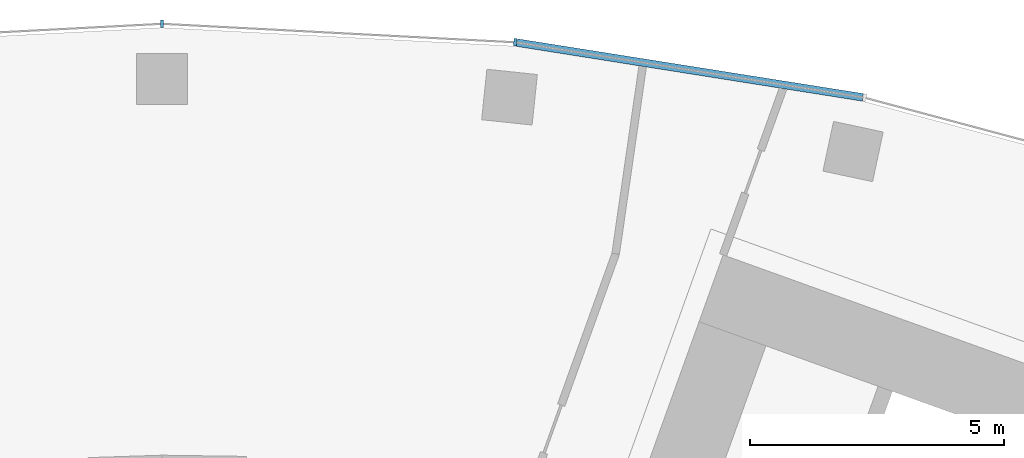
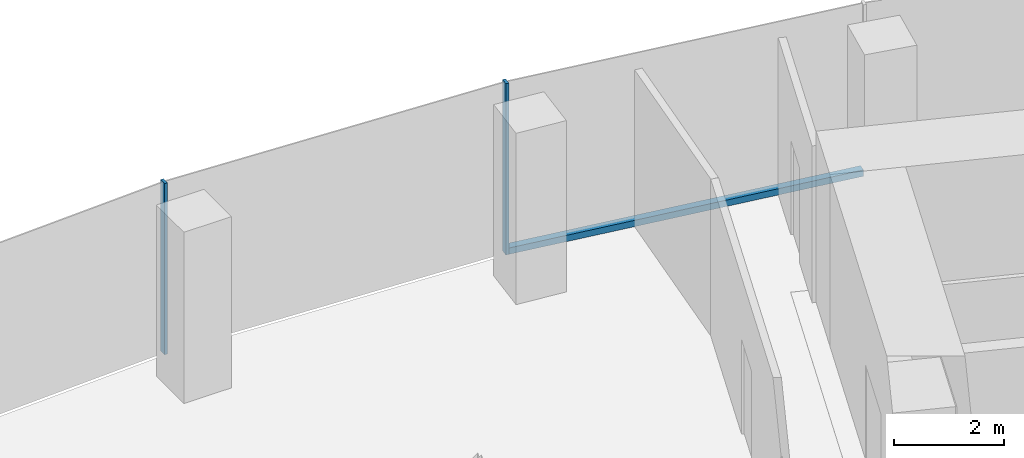
# One storey, part 7 of 21: 3 members, 1 element without a shape of its own.
"""IFC4 building model written with IfcOpenShell, lengths in metres."""

from ifc_helpers import new_model, si_unit, direction, frame, origin, origin_2d, place, context, subcontext, project, spatial, rectangle, extrude, material, layer, layer_set, material_profile, profile_set, type_object, element, aggregate, save


model = new_model("IFC4")

# Units and contexts
model_context = context("Model", 3, precision=1e-05, world=origin(), true_north=direction((0.0, 1.0)))
body_context = subcontext(model_context, "Body", "Model", "MODEL_VIEW")
ifc_project = project(units=[si_unit("LENGTHUNIT", "METRE"), si_unit("AREAUNIT", "SQUARE_METRE"), si_unit("VOLUMEUNIT", "CUBIC_METRE"), si_unit("PLANEANGLEUNIT", "RADIAN"), si_unit("MASSUNIT", "GRAM", prefix="KILO")], contexts=[model_context])

# Site, building, storey
site_placement = place(None, origin())
site = spatial("IfcSite", under=ifc_project, at=site_placement, CompositionType="ELEMENT")
building_placement = place(site_placement, origin())
building = spatial("IfcBuilding", under=site, at=building_placement, Name="Stone Belt Terrace Tower", CompositionType="ELEMENT")
storey_placement = place(building_placement, frame((0.0, 0.0, 159.199951171875)))
storey = spatial("IfcBuildingStorey", under=building, at=storey_placement, Name="L38", CompositionType="ELEMENT", Elevation=159.199951171875)

# Curtain wall, members
ifc_material = material(Name="Aluminium 6063-T6 anodised frame", Category="aluminium")
ifc_layer = layer(ifc_material, 0.14990234375)
ifc_layer_set = layer_set([ifc_layer], Name="CW-A unitised convex-face curtain wall")
curtain_wall_type = type_object("IfcCurtainWallType", Name="CW-A unitised convex-face curtain wall", PredefinedType="NOTDEFINED", material=ifc_layer_set)
curtain_wall_placement = place(storey_placement, origin())
curtain_wall = element("IfcCurtainWall", 1, at=curtain_wall_placement, inside=storey, type_object=curtain_wall_type, Name="CW-A convex face L38", PredefinedType="NOTDEFINED")
ifc_material_profile_1 = material_profile(ifc_material, rectangle(XDim=0.14990234375, YDim=0.06005859375, at=origin_2d()), Name="Aluminium 6063-T6 60x150")
ifc_profile_set_1 = profile_set([ifc_material_profile_1], Name="Aluminium 6063-T6 anodised frame")
member_type_1 = type_object("IfcMemberType", Name="CW-A mullion 60 x 150", PredefinedType="MULLION", material=ifc_profile_set_1)
member_1_placement = place(storey_placement, frame((6.958984375, 66.21044921875, 0.0), z_axis=(0.0, 0.0, 1.0), x_axis=(-0.104528463268, -0.994521895368, 0.0)))
member_1 = element("IfcMember", 2, at=member_1_placement, type_object=member_type_1, Name="CW-A mullion 8", PredefinedType="MULLION", context=body_context, shape_type="SweptSolid", body=[
    extrude(rectangle(XDim=0.14990234375, YDim=0.06005859375, at=origin_2d()), origin(), (0.0, 0.0, 1.0), 3.800048828125),
])
member_2_placement = place(storey_placement, frame((0.0, 66.5751953125, 0.0), z_axis=(0.0, 0.0, 1.0), x_axis=(0.0, -1.0, 0.0)))
member_2 = element("IfcMember", 3, at=member_2_placement, type_object=member_type_1, Name="CW-A mullion 9", PredefinedType="MULLION", context=body_context, shape_type="SweptSolid", body=[
    extrude(rectangle(XDim=0.14990234375, YDim=0.06005859375, at=origin_2d()), origin(), (0.0, 0.0, 1.0), 3.800048828125),
])
ifc_material_profile_2 = material_profile(ifc_material, rectangle(XDim=0.14990234375, YDim=0.139892578125, at=origin_2d()), Name="Aluminium 6063-T6 150x140")
ifc_profile_set_2 = profile_set([ifc_material_profile_2], Name="Aluminium 6063-T6 anodised frame")
member_type_2 = type_object("IfcMemberType", Name="CW-A transom 140 x 150", PredefinedType="USERDEFINED", material=ifc_profile_set_2)
member_3_placement = place(storey_placement, frame((13.808349609375, 65.12548828125, 0.070068359375), z_axis=(-0.987687120531, 0.156442168027, 0.0), x_axis=(-0.156442168027, -0.987687120531, 0.0)))
member_3 = element("IfcMember", 4, at=member_3_placement, type_object=member_type_2, Name="CW-A transom 7.1", ObjectType="TRANSOM", PredefinedType="USERDEFINED", context=body_context, shape_type="SweptSolid", body=[
    extrude(rectangle(XDim=0.14990234375, YDim=0.139892578125, at=origin_2d()), origin(), (0.0, 0.0, 1.0), 6.90087890625),
])
aggregate(curtain_wall, [member_1, member_2, member_3])

save(model, "model.ifc")
